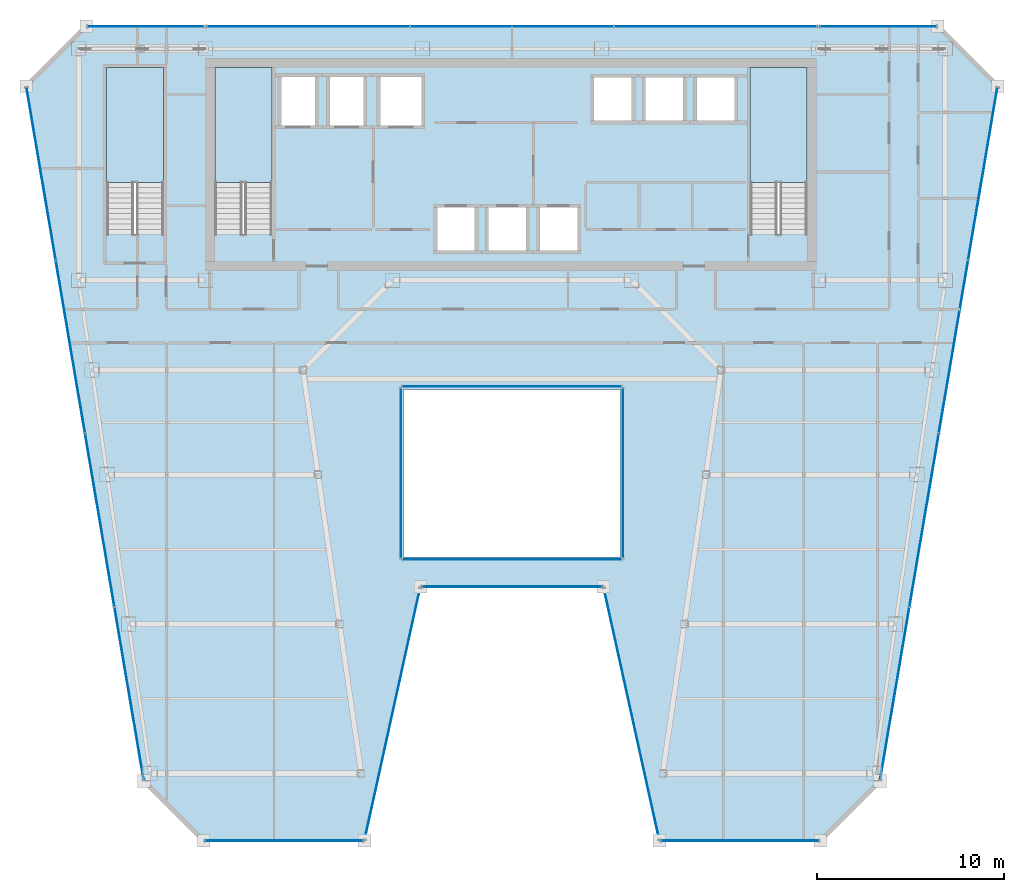
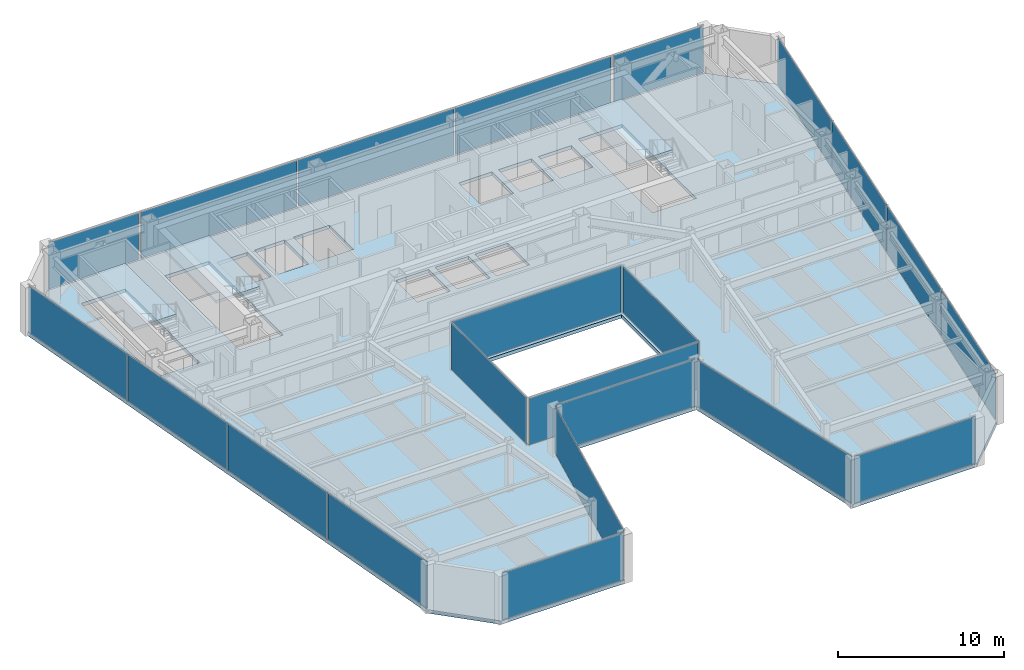
# One storey, part 28 of 36: 22 plates, 4 slabs, 17 elements without a shape of their own.
"""IFC4 building model written with IfcOpenShell, lengths in metres."""

from ifc_helpers import new_model, si_unit, direction, frame, origin, origin_2d, place, context, subcontext, project, spatial, polyline, rectangle, outline, extrude, material, layer, layer_set, type_object, element, aggregate, save


model = new_model("IFC4")

# Units and contexts
model_context = context("Model", 3, precision=1e-05, world=origin(), true_north=direction((0.0, 1.0)))
body_context = subcontext(model_context, "Body", "Model", "MODEL_VIEW")
ifc_project = project(units=[si_unit("LENGTHUNIT", "METRE"), si_unit("AREAUNIT", "SQUARE_METRE"), si_unit("VOLUMEUNIT", "CUBIC_METRE"), si_unit("PLANEANGLEUNIT", "RADIAN"), si_unit("MASSUNIT", "GRAM", prefix="KILO")], contexts=[model_context])

# Site, building, storey
site_placement = place(None, origin())
site = spatial("IfcSite", under=ifc_project, at=site_placement, CompositionType="ELEMENT")
building_placement = place(site_placement, origin())
building = spatial("IfcBuilding", under=site, at=building_placement, Name="Saevonmaru Cultural Tower", CompositionType="ELEMENT")
storey_placement = place(building_placement, frame((0.0, 0.0, 201.800048828125)))
storey = spatial("IfcBuildingStorey", under=building, at=storey_placement, Name="L46", CompositionType="ELEMENT", Elevation=201.800048828125)

# Curtain wall, plate
ifc_material_1 = material(Name="Satin Bronze Anodised Aluminium", Category="aluminium")
curtain_wall_type_1 = type_object("IfcCurtainWallType", Name="CW-ATR-GLZ", PredefinedType="NOTDEFINED", material=ifc_material_1)
curtain_wall_1_placement = place(storey_placement, origin())
curtain_wall_1 = element("IfcCurtainWall", 1, at=curtain_wall_1_placement, inside=storey, type_object=curtain_wall_type_1, Name="L46 Vertical Atrium Glazed Smoke Screen 1", PredefinedType="NOTDEFINED")
ifc_material_2 = material(Name="Fire-Rated Laminated Atrium Glass", Category="glass")
ifc_layer_1 = layer(ifc_material_2, 0.031982421875, Name="Fire-Rated Laminated Atrium Glass")
ifc_layer_set_1 = layer_set([ifc_layer_1], Name="Fire-Rated Laminated Atrium Glass")
plate_type_1 = type_object("IfcPlateType", Name="PN-GLZ-ATR-INT", PredefinedType="CURTAIN_PANEL", material=ifc_layer_set_1)
plate_1_placement = place(storey_placement, frame((30.0, 27.449951171875, 0.06689453125), z_axis=(0.0, 0.0, 1.0), x_axis=(1.0, 0.0, 0.0)))
plate_1 = element("IfcPlate", 2, at=plate_1_placement, type_object=plate_type_1, Name="CW-ATR-L46-1 panel 1.1", PredefinedType="CURTAIN_PANEL", context=body_context, shape_type="SweptSolid", body=[
    extrude(rectangle(XDim=11.7109375, YDim=0.031982421875, at=origin_2d()), origin(), (0.0, 0.0, 1.0), 3.416015625),
])
aggregate(curtain_wall_1, [plate_1])

curtain_wall_2_placement = place(storey_placement, origin())
curtain_wall_2 = element("IfcCurtainWall", 3, at=curtain_wall_2_placement, inside=storey, type_object=curtain_wall_type_1, Name="L46 Vertical Atrium Glazed Smoke Screen 2", PredefinedType="NOTDEFINED")
plate_2_placement = place(storey_placement, frame((35.949951171875, 32.080078125, 0.06689453125), z_axis=(0.0, 0.0, 1.0), x_axis=(0.0, 1.0, 0.0)))
plate_2 = element("IfcPlate", 4, at=plate_2_placement, type_object=plate_type_1, Name="CW-ATR-L46-2 panel 1.1", PredefinedType="CURTAIN_PANEL", context=body_context, shape_type="SweptSolid", body=[
    extrude(rectangle(XDim=9.071044921875, YDim=0.031982421875, at=origin_2d()), origin(), (0.0, 0.0, 1.0), 3.416015625),
])
aggregate(curtain_wall_2, [plate_2])

curtain_wall_3_placement = place(storey_placement, origin())
curtain_wall_3 = element("IfcCurtainWall", 5, at=curtain_wall_3_placement, inside=storey, type_object=curtain_wall_type_1, Name="L46 Vertical Atrium Glazed Smoke Screen 3", PredefinedType="NOTDEFINED")
plate_3_placement = place(storey_placement, frame((30.0, 36.7099609375, 0.06689453125), z_axis=(0.0, 0.0, 1.0), x_axis=(-1.0, 0.0, 0.0)))
plate_3 = element("IfcPlate", 6, at=plate_3_placement, type_object=plate_type_1, Name="CW-ATR-L46-3 panel 1.1", PredefinedType="CURTAIN_PANEL", context=body_context, shape_type="SweptSolid", body=[
    extrude(rectangle(XDim=11.7109375, YDim=0.031982421875, at=origin_2d()), origin(), (0.0, 0.0, 1.0), 3.416015625),
])
aggregate(curtain_wall_3, [plate_3])

curtain_wall_4_placement = place(storey_placement, origin())
curtain_wall_4 = element("IfcCurtainWall", 7, at=curtain_wall_4_placement, inside=storey, type_object=curtain_wall_type_1, Name="L46 Vertical Atrium Glazed Smoke Screen 4", PredefinedType="NOTDEFINED")
plate_4_placement = place(storey_placement, frame((24.050048828125, 32.080078125, 0.06689453125), z_axis=(0.0, 0.0, 1.0), x_axis=(0.0, -1.0, 0.0)))
plate_4 = element("IfcPlate", 8, at=plate_4_placement, type_object=plate_type_1, Name="CW-ATR-L46-4 panel 1.1", PredefinedType="CURTAIN_PANEL", context=body_context, shape_type="SweptSolid", body=[
    extrude(rectangle(XDim=9.071044921875, YDim=0.031982421875, at=origin_2d()), origin(), (0.0, 0.0, 1.0), 3.416015625),
])
aggregate(curtain_wall_4, [plate_4])

curtain_wall_type_2 = type_object("IfcCurtainWallType", Name="CW-TYP-B", PredefinedType="NOTDEFINED", material=ifc_material_1)
curtain_wall_5_placement = place(storey_placement, origin())
curtain_wall_5 = element("IfcCurtainWall", 9, at=curtain_wall_5_placement, inside=storey, type_object=curtain_wall_type_2, Name="L46 Unitised Curtain Wall E2", PredefinedType="NOTDEFINED")
ifc_material_3 = material(Name="Triple Silver Low-E Insulating Glass", Category="glass")
ifc_layer_2 = layer(ifc_material_3, 0.035888671875, Name="Triple Silver Low-E Insulating Glass")
ifc_layer_set_2 = layer_set([ifc_layer_2], Name="Triple Silver Low-E Insulating Glass")
plate_type_2 = type_object("IfcPlateType", Name="PN-GLZ-IGU", PredefinedType="CURTAIN_PANEL", material=ifc_layer_set_2)
plate_5_placement = place(storey_placement, frame((17.7978515625, 12.39990234375, 0.06689453125), z_axis=(0.0, 0.0, 1.0), x_axis=(1.0, 0.0, 0.0)))
plate_5 = element("IfcPlate", 10, at=plate_5_placement, type_object=plate_type_2, Name="CW-TW-L46-E2 panel 1.1", PredefinedType="CURTAIN_PANEL", context=body_context, shape_type="SweptSolid", body=[
    extrude(rectangle(XDim=8.410888671875, YDim=0.035888671875, at=origin_2d()), origin(), (0.0, 0.0, 1.0), 3.416015625),
])
aggregate(curtain_wall_5, [plate_5])

curtain_wall_6_placement = place(storey_placement, origin())
curtain_wall_6 = element("IfcCurtainWall", 11, at=curtain_wall_6_placement, inside=storey, type_object=curtain_wall_type_2, Name="L46 Unitised Curtain Wall E3", PredefinedType="NOTDEFINED")
plate_6_placement = place(storey_placement, frame((23.597900390625, 19.199951171875, 0.06689453125), z_axis=(0.0, 0.0, 1.0), x_axis=(0.215413319953, 0.976522965212, 0.0)))
plate_6 = element("IfcPlate", 12, at=plate_6_placement, type_object=plate_type_2, Name="CW-TW-L46-E3 panel 1.1", PredefinedType="CURTAIN_PANEL", context=body_context, shape_type="SweptSolid", body=[
    extrude(rectangle(XDim=13.738037109375, YDim=0.035888671875, at=origin_2d()), origin(), (0.0, 0.0, 1.0), 3.416015625),
])
aggregate(curtain_wall_6, [plate_6])

curtain_wall_7_placement = place(storey_placement, origin())
curtain_wall_7 = element("IfcCurtainWall", 13, at=curtain_wall_7_placement, inside=storey, type_object=curtain_wall_type_2, Name="L46 Unitised Curtain Wall E4", PredefinedType="NOTDEFINED")
plate_7_placement = place(storey_placement, frame((30.0, 26.0, 0.06689453125), z_axis=(0.0, 0.0, 1.0), x_axis=(1.0, 0.0, 0.0)))
plate_7 = element("IfcPlate", 14, at=plate_7_placement, type_object=plate_type_2, Name="CW-TW-L46-E4 panel 1.1", PredefinedType="CURTAIN_PANEL", context=body_context, shape_type="SweptSolid", body=[
    extrude(rectangle(XDim=9.615478515625, YDim=0.035888671875, at=origin_2d()), origin(), (0.0, 0.0, 1.0), 3.416015625),
])
aggregate(curtain_wall_7, [plate_7])

curtain_wall_8_placement = place(storey_placement, origin())
curtain_wall_8 = element("IfcCurtainWall", 15, at=curtain_wall_8_placement, inside=storey, type_object=curtain_wall_type_2, Name="L46 Unitised Curtain Wall E5", PredefinedType="NOTDEFINED")
plate_8_placement = place(storey_placement, frame((36.402099609375, 19.199951171875, 0.06689453125), z_axis=(0.0, 0.0, 1.0), x_axis=(0.215413319953, -0.976522965212, 0.0)))
plate_8 = element("IfcPlate", 16, at=plate_8_placement, type_object=plate_type_2, Name="CW-TW-L46-E5 panel 1.1", PredefinedType="CURTAIN_PANEL", context=body_context, shape_type="SweptSolid", body=[
    extrude(rectangle(XDim=13.738037109375, YDim=0.035888671875, at=origin_2d()), origin(), (0.0, 0.0, 1.0), 3.416015625),
])
aggregate(curtain_wall_8, [plate_8])

curtain_wall_9_placement = place(storey_placement, origin())
curtain_wall_9 = element("IfcCurtainWall", 17, at=curtain_wall_9_placement, inside=storey, type_object=curtain_wall_type_2, Name="L46 Unitised Curtain Wall E6", PredefinedType="NOTDEFINED")
plate_9_placement = place(storey_placement, frame((42.2021484375, 12.39990234375, 0.06689453125), z_axis=(0.0, 0.0, 1.0), x_axis=(1.0, 0.0, 0.0)))
plate_9 = element("IfcPlate", 18, at=plate_9_placement, type_object=plate_type_2, Name="CW-TW-L46-E6 panel 1.1", PredefinedType="CURTAIN_PANEL", context=body_context, shape_type="SweptSolid", body=[
    extrude(rectangle(XDim=8.410888671875, YDim=0.035888671875, at=origin_2d()), origin(), (0.0, 0.0, 1.0), 3.416015625),
])
aggregate(curtain_wall_9, [plate_9])

# Curtain wall, plates
curtain_wall_10_placement = place(storey_placement, origin())
curtain_wall_10 = element("IfcCurtainWall", 19, at=curtain_wall_10_placement, inside=storey, type_object=curtain_wall_type_2, Name="L46 Unitised Curtain Wall E8", PredefinedType="NOTDEFINED")
plate_10_placement = place(storey_placement, frame((50.496826171875, 20.29443359375, 0.06689453125), z_axis=(0.0, 0.0, 1.0), x_axis=(0.16692169721, 0.985970155228, 0.0)))
plate_10 = element("IfcPlate", 20, at=plate_10_placement, type_object=plate_type_2, Name="CW-TW-L46-E8 panel 1.1", PredefinedType="CURTAIN_PANEL", context=body_context, shape_type="SweptSolid", body=[
    extrude(rectangle(XDim=9.333251953125, YDim=0.035888671875, at=origin_2d()), origin(), (0.0, 0.0, 1.0), 3.416015625),
])
plate_11_placement = place(storey_placement, frame((52.06640625, 29.564697265625, 0.06689453125), z_axis=(0.0, 0.0, 1.0), x_axis=(0.16692169721, 0.985970155228, 0.0)))
plate_11 = element("IfcPlate", 21, at=plate_11_placement, type_object=plate_type_2, Name="CW-TW-L46-E8 panel 2.1", PredefinedType="CURTAIN_PANEL", context=body_context, shape_type="SweptSolid", body=[
    extrude(rectangle(XDim=9.333251953125, YDim=0.035888671875, at=origin_2d()), origin(), (0.0, 0.0, 1.0), 3.416015625),
])
plate_12_placement = place(storey_placement, frame((53.6357421875, 38.835205078125, 0.06689453125), z_axis=(0.0, 0.0, 1.0), x_axis=(0.16692169721, 0.985970155228, 0.0)))
plate_12 = element("IfcPlate", 22, at=plate_12_placement, type_object=plate_type_2, Name="CW-TW-L46-E8 panel 3.1", PredefinedType="CURTAIN_PANEL", context=body_context, shape_type="SweptSolid", body=[
    extrude(rectangle(XDim=9.333251953125, YDim=0.035888671875, at=origin_2d()), origin(), (0.0, 0.0, 1.0), 3.416015625),
])
plate_13_placement = place(storey_placement, frame((55.205322265625, 48.105712890625, 0.06689453125), z_axis=(0.0, 0.0, 1.0), x_axis=(0.16692169721, 0.985970155228, 0.0)))
plate_13 = element("IfcPlate", 23, at=plate_13_placement, type_object=plate_type_2, Name="CW-TW-L46-E8 panel 4.1", PredefinedType="CURTAIN_PANEL", context=body_context, shape_type="SweptSolid", body=[
    extrude(rectangle(XDim=9.333251953125, YDim=0.035888671875, at=origin_2d()), origin(), (0.0, 0.0, 1.0), 3.416015625),
])
aggregate(curtain_wall_10, [plate_10, plate_11, plate_12, plate_13])

curtain_wall_11_placement = place(storey_placement, origin())
curtain_wall_11 = element("IfcCurtainWall", 24, at=curtain_wall_11_placement, inside=storey, type_object=curtain_wall_type_2, Name="L46 North Spine Unitised Curtain Wall E10B", PredefinedType="NOTDEFINED")
plate_14_placement = place(storey_placement, frame((40.893310546875, 56.0, 0.06689453125), z_axis=(0.0, 0.0, 1.0), x_axis=(-1.0, 0.0, 0.0)))
plate_14 = element("IfcPlate", 25, at=plate_14_placement, type_object=plate_type_2, Name="CW-TW-L46-E10B panel 1.1", PredefinedType="CURTAIN_PANEL", context=body_context, shape_type="SweptSolid", body=[
    extrude(rectangle(XDim=10.82421875, YDim=0.035888671875, at=origin_2d()), origin(), (0.0, 0.0, 1.0), 3.416015625),
])
plate_15_placement = place(storey_placement, frame((30.0, 56.0, 0.06689453125), z_axis=(0.0, 0.0, 1.0), x_axis=(-1.0, 0.0, 0.0)))
plate_15 = element("IfcPlate", 26, at=plate_15_placement, type_object=plate_type_2, Name="CW-TW-L46-E10B panel 2.1", PredefinedType="CURTAIN_PANEL", context=body_context, shape_type="SweptSolid", body=[
    extrude(rectangle(XDim=10.82421875, YDim=0.035888671875, at=origin_2d()), origin(), (0.0, 0.0, 1.0), 3.416015625),
])
plate_16_placement = place(storey_placement, frame((19.106689453125, 56.0, 0.06689453125), z_axis=(0.0, 0.0, 1.0), x_axis=(-1.0, 0.0, 0.0)))
plate_16 = element("IfcPlate", 27, at=plate_16_placement, type_object=plate_type_2, Name="CW-TW-L46-E10B panel 3.1", PredefinedType="CURTAIN_PANEL", context=body_context, shape_type="SweptSolid", body=[
    extrude(rectangle(XDim=10.82421875, YDim=0.035888671875, at=origin_2d()), origin(), (0.0, 0.0, 1.0), 3.416015625),
])
aggregate(curtain_wall_11, [plate_14, plate_15, plate_16])

curtain_wall_12_placement = place(storey_placement, origin())
curtain_wall_12 = element("IfcCurtainWall", 28, at=curtain_wall_12_placement, inside=storey, type_object=curtain_wall_type_2, Name="L46 Unitised Curtain Wall E12", PredefinedType="NOTDEFINED")
plate_17_placement = place(storey_placement, frame((4.794677734375, 48.105712890625, 0.06689453125), z_axis=(0.0, 0.0, 1.0), x_axis=(0.16692169721, -0.985970155228, 0.0)))
plate_17 = element("IfcPlate", 29, at=plate_17_placement, type_object=plate_type_2, Name="CW-TW-L46-E12 panel 1.1", PredefinedType="CURTAIN_PANEL", context=body_context, shape_type="SweptSolid", body=[
    extrude(rectangle(XDim=9.333251953125, YDim=0.035888671875, at=origin_2d()), origin(), (0.0, 0.0, 1.0), 3.416015625),
])
plate_18_placement = place(storey_placement, frame((6.3642578125, 38.835205078125, 0.06689453125), z_axis=(0.0, 0.0, 1.0), x_axis=(0.16692169721, -0.985970155228, 0.0)))
plate_18 = element("IfcPlate", 30, at=plate_18_placement, type_object=plate_type_2, Name="CW-TW-L46-E12 panel 2.1", PredefinedType="CURTAIN_PANEL", context=body_context, shape_type="SweptSolid", body=[
    extrude(rectangle(XDim=9.333251953125, YDim=0.035888671875, at=origin_2d()), origin(), (0.0, 0.0, 1.0), 3.416015625),
])
plate_19_placement = place(storey_placement, frame((7.93359375, 29.564697265625, 0.06689453125), z_axis=(0.0, 0.0, 1.0), x_axis=(0.16692169721, -0.985970155228, 0.0)))
plate_19 = element("IfcPlate", 31, at=plate_19_placement, type_object=plate_type_2, Name="CW-TW-L46-E12 panel 3.1", PredefinedType="CURTAIN_PANEL", context=body_context, shape_type="SweptSolid", body=[
    extrude(rectangle(XDim=9.333251953125, YDim=0.035888671875, at=origin_2d()), origin(), (0.0, 0.0, 1.0), 3.416015625),
])
plate_20_placement = place(storey_placement, frame((9.503173828125, 20.29443359375, 0.06689453125), z_axis=(0.0, 0.0, 1.0), x_axis=(0.16692169721, -0.985970155228, 0.0)))
plate_20 = element("IfcPlate", 32, at=plate_20_placement, type_object=plate_type_2, Name="CW-TW-L46-E12 panel 4.1", PredefinedType="CURTAIN_PANEL", context=body_context, shape_type="SweptSolid", body=[
    extrude(rectangle(XDim=9.333251953125, YDim=0.035888671875, at=origin_2d()), origin(), (0.0, 0.0, 1.0), 3.416015625),
])
aggregate(curtain_wall_12, [plate_17, plate_18, plate_19, plate_20])

# Curtain wall, plate
curtain_wall_13_placement = place(storey_placement, origin())
curtain_wall_13 = element("IfcCurtainWall", 33, at=curtain_wall_13_placement, inside=storey, type_object=curtain_wall_type_2, Name="L46 East Braced Bay Spandrel Curtain Wall E10A", PredefinedType="NOTDEFINED")
ifc_material_4 = material(Name="Insulated Satin Bronze Aluminium Spandrel Panel", Category="aluminium")
ifc_layer_3 = layer(ifc_material_4, 0.0400390625, Name="Insulated Satin Bronze Aluminium Spandrel Panel")
ifc_layer_set_3 = layer_set([ifc_layer_3], Name="Insulated Satin Bronze Aluminium Spandrel Panel")
plate_type_3 = type_object("IfcPlateType", Name="PN-SPANDREL-BRONZE", PredefinedType="CURTAIN_PANEL", material=ifc_layer_set_3)
plate_21_placement = place(storey_placement, frame((49.60009765625, 56.0, 0.06689453125), z_axis=(0.0, 0.0, 1.0), x_axis=(-1.0, 0.0, 0.0)))
plate_21 = element("IfcPlate", 34, at=plate_21_placement, type_object=plate_type_3, Name="CW-TW-L46-E10A panel 1.1", PredefinedType="CURTAIN_PANEL", context=body_context, shape_type="SweptSolid", body=[
    extrude(rectangle(XDim=6.2109375, YDim=0.035888671875, at=origin_2d()), origin(), (0.0, 0.0, 1.0), 3.416015625),
])
aggregate(curtain_wall_13, [plate_21])

curtain_wall_14_placement = place(storey_placement, origin())
curtain_wall_14 = element("IfcCurtainWall", 35, at=curtain_wall_14_placement, inside=storey, type_object=curtain_wall_type_2, Name="L46 West Braced Bay Spandrel Curtain Wall E10C", PredefinedType="NOTDEFINED")
plate_22_placement = place(storey_placement, frame((10.39990234375, 56.0, 0.06689453125), z_axis=(0.0, 0.0, 1.0), x_axis=(-1.0, 0.0, 0.0)))
plate_22 = element("IfcPlate", 36, at=plate_22_placement, type_object=plate_type_3, Name="CW-TW-L46-E10C panel 1.1", PredefinedType="CURTAIN_PANEL", context=body_context, shape_type="SweptSolid", body=[
    extrude(rectangle(XDim=6.2109375, YDim=0.035888671875, at=origin_2d()), origin(), (0.0, 0.0, 1.0), 3.416015625),
])
aggregate(curtain_wall_14, [plate_22])

# Slab
ifc_material_5 = material(Name="Concrete C40/50", Category="concrete")
ifc_layer_4 = layer(ifc_material_5, 0.25, Name="Concrete C40/50")
ifc_layer_set_4 = layer_set([ifc_layer_4], Name="Concrete C40/50")
slab_type_1 = type_object("IfcSlabType", Name="SL-FLR-250", PredefinedType="FLOOR", material=ifc_layer_set_4)
slab_1_placement = place(storey_placement, frame((0.0, 0.0, -0.25)))
element("IfcSlab", 37, at=slab_1_placement, inside=storey, type_object=slab_type_1, Name="L46 Tower Structural Floor Slab", PredefinedType="FLOOR", context=body_context, shape_type="SweptSolid", body=[
    extrude(outline(polyline([(10.2978515625, 15.60009765625), (13.497802734375, 12.39990234375), (22.097900390625, 12.39990234375), (25.097900390625, 26.0), (34.902099609375, 26.0), (37.902099609375, 12.39990234375), (46.502197265625, 12.39990234375), (49.7021484375, 15.60009765625), (56.0, 52.800048828125), (52.800048828125, 56.0), (7.199951171875, 56.0), (4.0, 52.800048828125), (10.2978515625, 15.60009765625)]), holes=[polyline([(45.800048828125, 44.875), (42.75, 44.875), (42.75, 53.800048828125), (45.800048828125, 53.800048828125), (45.800048828125, 44.875)]), polyline([(39.75, 50.800048828125), (39.75, 53.39990234375), (42.050048828125, 53.39990234375), (42.050048828125, 50.800048828125), (39.75, 50.800048828125)]), polyline([(37.0, 50.800048828125), (37.0, 53.39990234375), (39.300048828125, 53.39990234375), (39.300048828125, 50.800048828125), (37.0, 50.800048828125)]), polyline([(34.25, 50.800048828125), (34.25, 53.39990234375), (36.550048828125, 53.39990234375), (36.550048828125, 50.800048828125), (34.25, 50.800048828125)]), polyline([(24.199951171875, 27.60009765625), (24.199951171875, 36.56005859375), (35.800048828125, 36.56005859375), (35.800048828125, 27.60009765625), (24.199951171875, 27.60009765625)]), polyline([(31.35009765625, 43.85009765625), (31.35009765625, 46.449951171875), (33.64990234375, 46.449951171875), (33.64990234375, 43.85009765625), (31.35009765625, 43.85009765625)]), polyline([(28.60009765625, 43.85009765625), (28.60009765625, 46.449951171875), (30.89990234375, 46.449951171875), (30.89990234375, 43.85009765625), (28.60009765625, 43.85009765625)]), polyline([(28.14990234375, 43.85009765625), (25.85009765625, 43.85009765625), (25.85009765625, 46.449951171875), (28.14990234375, 46.449951171875), (28.14990234375, 43.85009765625)]), polyline([(25.300048828125, 50.550048828125), (22.800048828125, 50.550048828125), (22.800048828125, 53.449951171875), (25.300048828125, 53.449951171875), (25.300048828125, 50.550048828125)]), polyline([(20.10009765625, 50.550048828125), (20.10009765625, 53.449951171875), (22.199951171875, 53.449951171875), (22.199951171875, 50.550048828125), (20.10009765625, 50.550048828125)]), polyline([(17.5, 50.550048828125), (17.5, 53.449951171875), (19.60009765625, 53.449951171875), (19.60009765625, 50.550048828125), (17.5, 50.550048828125)]), polyline([(17.14990234375, 53.800048828125), (17.14990234375, 44.875), (14.10009765625, 44.875), (14.10009765625, 53.800048828125), (17.14990234375, 53.800048828125)]), polyline([(11.35009765625, 44.875), (8.300048828125, 44.875), (8.300048828125, 53.800048828125), (11.35009765625, 53.800048828125), (11.35009765625, 44.875)])]), origin(), (0.0, 0.0, 1.0), 0.25),
])

# Stair, slab
stair_type = type_object("IfcStairType", Name="STR-DOGLEG-RC", PredefinedType="HALF_TURN_STAIR", material=ifc_material_5)
stair_1_placement = place(storey_placement, origin())
stair_1 = element("IfcStair", 38, at=stair_1_placement, inside=storey, type_object=stair_type, Name="L46 Protected exit stair ST-1", PredefinedType="HALF_TURN_STAIR")
ifc_layer_5 = layer(ifc_material_5, 0.199951171875, Name="Concrete C40/50")
ifc_layer_set_5 = layer_set([ifc_layer_5], Name="Concrete C40/50")
slab_type_2 = type_object("IfcSlabType", Name="SL-STAIR-LANDING", PredefinedType="LANDING", material=ifc_layer_set_5)
slab_2_placement = place(storey_placement, frame((0.0, 0.0, 1.699951171875)))
slab_2 = element("IfcSlab", 39, at=slab_2_placement, type_object=slab_type_2, Name="ST-1-L46 landing 1", PredefinedType="LANDING", context=body_context, shape_type="SweptSolid", body=[
    extrude(outline(polyline([(17.14990234375, 47.64990234375), (17.14990234375, 53.800048828125), (14.10009765625, 53.800048828125), (14.10009765625, 47.64990234375), (17.14990234375, 47.64990234375)])), origin(), (0.0, 0.0, 1.0), 0.199951171875),
])
aggregate(stair_1, [slab_2])

stair_2_placement = place(storey_placement, origin())
stair_2 = element("IfcStair", 40, at=stair_2_placement, inside=storey, type_object=stair_type, Name="L46 Protected exit stair ST-2", PredefinedType="HALF_TURN_STAIR")
slab_3_placement = place(storey_placement, frame((0.0, 0.0, 1.699951171875)))
slab_3 = element("IfcSlab", 41, at=slab_3_placement, type_object=slab_type_2, Name="ST-2-L46 landing 1", PredefinedType="LANDING", context=body_context, shape_type="SweptSolid", body=[
    extrude(outline(polyline([(45.800048828125, 47.64990234375), (45.800048828125, 53.800048828125), (42.75, 53.800048828125), (42.75, 47.64990234375), (45.800048828125, 47.64990234375)])), origin(), (0.0, 0.0, 1.0), 0.199951171875),
])
aggregate(stair_2, [slab_3])

stair_3_placement = place(storey_placement, origin())
stair_3 = element("IfcStair", 42, at=stair_3_placement, inside=storey, type_object=stair_type, Name="L46 Protected exit stair ST-3", PredefinedType="HALF_TURN_STAIR")
slab_4_placement = place(storey_placement, frame((0.0, 0.0, 1.699951171875)))
slab_4 = element("IfcSlab", 43, at=slab_4_placement, type_object=slab_type_2, Name="ST-3-L46 landing 1", PredefinedType="LANDING", context=body_context, shape_type="SweptSolid", body=[
    extrude(outline(polyline([(11.35009765625, 47.64990234375), (11.35009765625, 53.800048828125), (8.300048828125, 53.800048828125), (8.300048828125, 47.64990234375), (11.35009765625, 47.64990234375)])), origin(), (0.0, 0.0, 1.0), 0.199951171875),
])
aggregate(stair_3, [slab_4])

save(model, "model.ifc")
